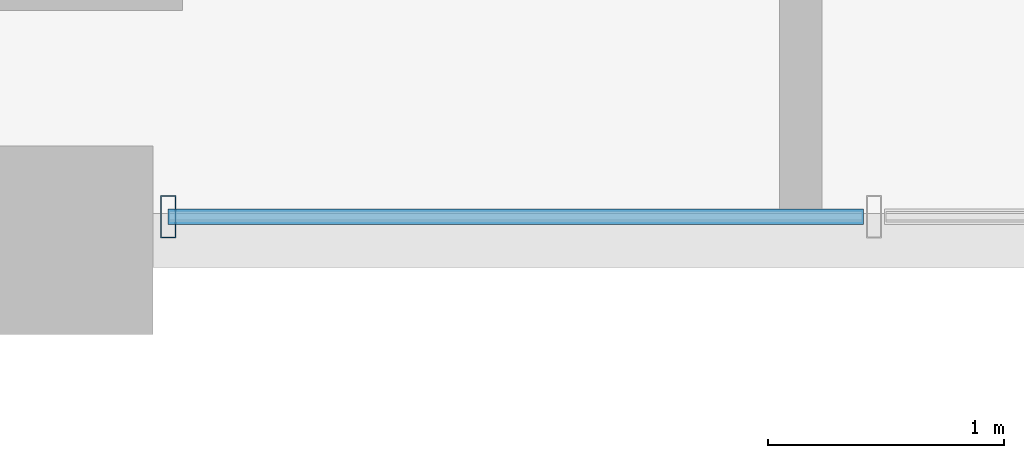
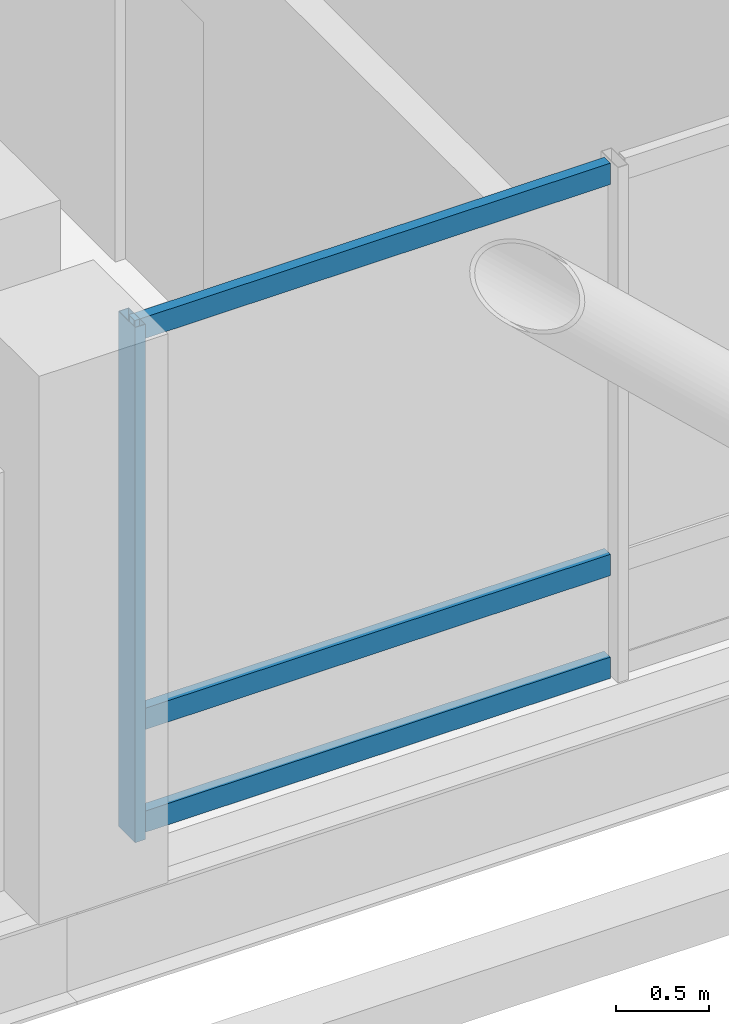
# One storey, part 2 of 26: 4 members, 1 element without a shape of its own.
"""IFC4 building model written with IfcOpenShell, lengths in metres."""

import ifcopenshell
import ifcopenshell.guid

model = None  # the IFC model being written
_history = None  # IfcOwnerHistory: only IFC2X3 demands one
_inside = {}  # id of a spatial element -> (the spatial element, [elements in it])
_under = {}  # id of a project, library or spatial element -> (it, [spatial elements below it])
_declared = {}  # id of a project -> (the project, [libraries it declares])
_typed = {}  # id of a type object -> (the type object, [elements of that type])
_made_of = {}  # id of a material, layer set ... -> (it, [elements and type objects made of it])


def new_model(schema):
    """Start an empty IFC model of exactly this schema.

    Asked for "IFC4X3", IfcOpenShell would pick the latest addendum, in which some entities
    have other attributes; the version numbers below select the first issue.
    IFC2X3 requires an IfcOwnerHistory on every rooted entity: one is made here for all.
    """
    global model, _history
    if schema == "IFC4X3":
        model = ifcopenshell.file(schema_version=(4, 3, 0, 0))
    else:
        model = ifcopenshell.file(schema=schema)
    _inside.clear()
    _under.clear()
    _declared.clear()
    _typed.clear()
    _made_of.clear()
    _history = None
    if model.schema == "IFC2X3":
        org = make("IfcOrganization", Name="unknown")
        user = make(
            "IfcPersonAndOrganization",
            ThePerson=make("IfcPerson", FamilyName="unknown"),
            TheOrganization=org,
        )
        app = make(
            "IfcApplication",
            ApplicationDeveloper=org,
            Version="unknown",
            ApplicationFullName="unknown",
            ApplicationIdentifier="unknown",
        )
        _history = make(
            "IfcOwnerHistory",
            OwningUser=user,
            OwningApplication=app,
            ChangeAction="ADDED",
            CreationDate=0,
        )
    return model


def make(cls, **values):
    """One entity of the class cls with the attributes given. An attribute that is None is left unset."""
    return model.create_entity(
        cls, **{name: value for name, value in values.items() if value is not None}
    )


def rooted(cls, **values):
    """An entity with a GlobalId (a new one), such as an element, a storey or a relation."""
    return make(cls, GlobalId=ifcopenshell.guid.new(), OwnerHistory=_history, **values)


def si_unit(unit_type, name, prefix=None):
    """IfcSIUnit, for example si_unit("LENGTHUNIT", "METRE", prefix="MILLI")."""
    return make("IfcSIUnit", UnitType=unit_type, Prefix=prefix, Name=name)


def assignment(units):
    """IfcUnitAssignment: the units of a project."""
    return None if units is None else make("IfcUnitAssignment", Units=units)


def point(xyz):
    """IfcCartesianPoint."""
    return None if xyz is None else make("IfcCartesianPoint", Coordinates=xyz)


def direction(xyz):
    """IfcDirection."""
    return None if xyz is None else make("IfcDirection", DirectionRatios=xyz)


def frame(location, z_axis=None, x_axis=None):
    """IfcAxis2Placement3D, a coordinate frame: its origin and axes. An axis left out is left unset."""
    return make(
        "IfcAxis2Placement3D",
        Location=point(location),
        Axis=direction(z_axis),
        RefDirection=direction(x_axis),
    )


def frame_2d(location, x_axis=None):
    """IfcAxis2Placement2D, a coordinate frame in the plane: its origin and x axis."""
    return make(
        "IfcAxis2Placement2D", Location=point(location), RefDirection=direction(x_axis)
    )


def origin():
    """The frame at (0, 0, 0) with its axes left unset."""
    return frame((0.0, 0.0, 0.0))


def origin_2d():
    """The frame at (0, 0) in the plane with its x axis left unset."""
    return frame_2d((0.0, 0.0))


def place(relative_to, where):
    """IfcLocalPlacement: puts the frame where relative to a parent placement (None: the world)."""
    return make(
        "IfcLocalPlacement", PlacementRelTo=relative_to, RelativePlacement=where
    )


def context(
    kind, dimensions, precision=None, world=None, true_north=None, identifier=None
):
    """IfcGeometricRepresentationContext, for example the 3D "Model" context."""
    return make(
        "IfcGeometricRepresentationContext",
        ContextIdentifier=identifier,
        ContextType=kind,
        CoordinateSpaceDimension=dimensions,
        Precision=precision,
        WorldCoordinateSystem=world,
        TrueNorth=true_north,
    )


def subcontext(parent, identifier, kind, view, scale=None):
    """IfcGeometricRepresentationSubContext, for example "Body" below "Model"."""
    return make(
        "IfcGeometricRepresentationSubContext",
        ContextIdentifier=identifier,
        ContextType=kind,
        ParentContext=parent,
        TargetScale=scale,
        TargetView=view,
    )


def project(units=None, contexts=None):
    """IfcProject with its units and contexts."""
    return rooted(
        "IfcProject",
        Name="project",
        RepresentationContexts=contexts,
        UnitsInContext=assignment(units),
    )


def spatial(cls, under=None, at=None, **own):
    """A site, building, storey or space (cls), placed at a placement, below another one or the project."""
    s = rooted(cls, ObjectPlacement=at, **own)
    if under is not None:
        _under.setdefault(under.id(), (under, []))[1].append(s)
    return s


def profile(cls, at=None, kind="AREA", **sizes):
    """A parametric profile (cls). Its sizes go by their IFC names, for example OverallWidth=200.0."""
    return make(cls, ProfileType=kind, Position=at, **sizes)


def hollow_rectangle(**sizes):
    """IfcRectangleHollowProfileDef."""
    return profile("IfcRectangleHollowProfileDef", **sizes)


def extrude(swept, where, along, depth):
    """IfcExtrudedAreaSolid: the profile swept, set in the frame where, extruded along a direction by depth."""
    return make(
        "IfcExtrudedAreaSolid",
        SweptArea=swept,
        Position=where,
        ExtrudedDirection=direction(along),
        Depth=depth,
    )


def shape(context_of_items, identifier, shape_type, items):
    """IfcShapeRepresentation: the items that make up one representation, for example the "Body"."""
    return make(
        "IfcShapeRepresentation",
        ContextOfItems=context_of_items,
        RepresentationIdentifier=identifier,
        RepresentationType=shape_type,
        Items=items,
    )


def material(Name=None, Category=None):
    """IfcMaterial."""
    return make("IfcMaterial", Name=Name, Category=Category)


def layer(
    of_material, thickness, ventilated=None, Name=None, Category=None, Priority=None
):
    """IfcMaterialLayer: one layer of a wall or slab, of a material (None: an air gap)."""
    return make(
        "IfcMaterialLayer",
        Material=of_material,
        LayerThickness=thickness,
        IsVentilated=ventilated,
        Name=Name,
        Category=Category,
        Priority=Priority,
    )


def layer_set(layers, Name=None):
    """IfcMaterialLayerSet."""
    return make("IfcMaterialLayerSet", MaterialLayers=layers, LayerSetName=Name)


def material_profile(
    of_material, cross_section, Name=None, Category=None, Priority=None
):
    """IfcMaterialProfile: a cross section and its material."""
    return make(
        "IfcMaterialProfile",
        Name=Name,
        Material=of_material,
        Profile=cross_section,
        Priority=Priority,
        Category=Category,
    )


def profile_set(profiles, Name=None, composite=None):
    """IfcMaterialProfileSet."""
    return make(
        "IfcMaterialProfileSet",
        Name=Name,
        MaterialProfiles=profiles,
        CompositeProfile=composite,
    )


def made_of(thing, what):
    """Note that an element or type object is made of a material, layer set ...; save() writes the relation."""
    if what is not None:
        _made_of.setdefault(what.id(), (what, []))[1].append(thing)
    return thing


def type_object(cls, material=None, **own):
    """A type object (cls), such as IfcWallType, which elements share."""
    return made_of(rooted(cls, **own), material)


def element(
    cls,
    number,
    at=None,
    inside=None,
    cuts=None,
    type_object=None,
    material=None,
    context=None,
    identifier="Body",
    shape_type=None,
    held_by="IfcProductDefinitionShape",
    body=None,
    shapes=None,
    **own,
):
    """One element of the class cls, such as IfcWall. Its Tag is "e" and its number.

    at: its placement. inside: the storey or other place that contains it. cuts: it is an
    opening in that element (IfcRelVoidsElement). A single representation is given by context,
    identifier, shape_type and body (its items); several are given by shapes. held_by: the class
    of the entity that holds the representations. save() writes the other relations.
    """
    e = rooted(cls, Tag="e%d" % number, ObjectPlacement=at, **own)
    if body is not None:
        shapes = [shape(context, identifier, shape_type, body)]
    if shapes is not None:
        e.Representation = make(held_by, Representations=shapes)
    if inside is not None:
        _inside.setdefault(inside.id(), (inside, []))[1].append(e)
    if cuts is not None:
        rooted(
            "IfcRelVoidsElement", RelatingBuildingElement=cuts, RelatedOpeningElement=e
        )
    if type_object is not None:
        _typed.setdefault(type_object.id(), (type_object, []))[1].append(e)
    return made_of(e, material)


def aggregate(whole, parts):
    """IfcRelAggregates: a whole, such as a stair, and the parts it consists of."""
    return rooted("IfcRelAggregates", RelatingObject=whole, RelatedObjects=parts)


def save(model, path):
    """Write the relations noted so far, then the file.

    IfcRelAggregates (storeys below a building ...), IfcRelContainedInSpatialStructure (elements
    in a storey), IfcRelDefinesByType, IfcRelAssociatesMaterial and IfcRelDeclares: one each for
    every whole, place, type object, material and project.
    """
    for whole, parts in _under.values():
        aggregate(whole, parts)
    for where, things in _inside.values():
        rooted(
            "IfcRelContainedInSpatialStructure",
            RelatedElements=things,
            RelatingStructure=where,
        )
    for kind, things in _typed.values():
        rooted("IfcRelDefinesByType", RelatedObjects=things, RelatingType=kind)
    for what, things in _made_of.values():
        rooted("IfcRelAssociatesMaterial", RelatedObjects=things, RelatingMaterial=what)
    for by, libraries in _declared.values():
        rooted("IfcRelDeclares", RelatingContext=by, RelatedDefinitions=libraries)
    model.write(path)


model = new_model("IFC4")

# Units and contexts
model_context = context("Model", 3, precision=1e-05, world=origin(), true_north=direction((0.0, 1.0)))
body_context = subcontext(model_context, "Body", "Model", "MODEL_VIEW")
ifc_project = project(units=[si_unit("LENGTHUNIT", "METRE"), si_unit("AREAUNIT", "SQUARE_METRE"), si_unit("VOLUMEUNIT", "CUBIC_METRE"), si_unit("PLANEANGLEUNIT", "RADIAN"), si_unit("MASSUNIT", "GRAM", prefix="KILO")], contexts=[model_context])

# Site, building, storey
site_placement = place(None, origin())
site = spatial("IfcSite", under=ifc_project, at=site_placement, CompositionType="ELEMENT")
building_placement = place(site_placement, origin())
building = spatial("IfcBuilding", under=site, at=building_placement, Name="Barlavira Tower and Art Museum", CompositionType="ELEMENT")
storey_placement = place(building_placement, frame((0.0, 0.0, 187.199951171875)))
storey = spatial("IfcBuildingStorey", under=building, at=storey_placement, Name="L48", CompositionType="ELEMENT", Elevation=187.199951171875)

# Curtain wall, members
ifc_material_1 = material(Name="Low-iron coastal laminated glass", Category="glass")
ifc_layer = layer(ifc_material_1, 0.199951171875, Name="Low-iron coastal laminated glass")
ifc_layer_set = layer_set([ifc_layer], Name="Low-iron coastal laminated glass")
curtain_wall_type = type_object("IfcCurtainWallType", Name="Pale-Metal Unitised Curtain Wall Zone 3", PredefinedType="NOTDEFINED", material=ifc_layer_set)
curtain_wall_placement = place(storey_placement, origin())
curtain_wall = element("IfcCurtainWall", 1, at=curtain_wall_placement, inside=storey, type_object=curtain_wall_type, Name="L48 Curtain Wall CW3-L48-S-B3", PredefinedType="NOTDEFINED")
ifc_material_2 = material(Name="Pale anodised aluminium", Category="aluminium")
ifc_material_profile_1 = material_profile(ifc_material_2, hollow_rectangle(XDim=0.06494140625, YDim=0.179931640625, WallThickness=0.00390625, at=origin_2d()), Name="ALU-MULL 65x180x4")
ifc_profile_set_1 = profile_set([ifc_material_profile_1], Name="Pale anodised aluminium")
member_type_1 = type_object("IfcMemberType", Name="Curtain Wall Pale-Metal Mullion 65x180", PredefinedType="MULLION", material=ifc_profile_set_1)
member_1_placement = place(storey_placement, frame((-6.034912109375, -21.39990234375, 0.0), z_axis=(0.0, 0.0, 1.0), x_axis=(1.0, 0.0, 0.0)))
member_1 = element("IfcMember", 2, at=member_1_placement, type_object=member_type_1, Name="CW3-L48-S-B3 Mullion 0", PredefinedType="MULLION", context=body_context, shape_type="SweptSolid", body=[
    extrude(hollow_rectangle(XDim=0.06494140625, YDim=0.179931640625, WallThickness=0.00390625, at=origin_2d()), origin(), (0.0, 0.0, 1.0), 3.380126953125),
])
ifc_material_profile_2 = material_profile(ifc_material_2, hollow_rectangle(XDim=0.06494140625, YDim=0.139892578125, WallThickness=0.00390625, at=origin_2d()), Name="ALU-TRAN 65x140x4")
ifc_profile_set_2 = profile_set([ifc_material_profile_2], Name="Pale anodised aluminium")
member_type_2 = type_object("IfcMemberType", Name="Curtain Wall Pale-Metal Transom 65x140", PredefinedType="USERDEFINED", material=ifc_profile_set_2)
member_2_placement = place(storey_placement, frame((-6.034912109375, -21.39990234375, 0.070068359375), z_axis=(1.0, 0.0, 0.0), x_axis=(0.0, 1.0, 0.0)))
member_2 = element("IfcMember", 3, at=member_2_placement, type_object=member_type_2, Name="CW3-L48-S-B3 Transom 0.1", ObjectType="TRANSOM", PredefinedType="USERDEFINED", context=body_context, shape_type="SweptSolid", body=[
    extrude(hollow_rectangle(XDim=0.06494140625, YDim=0.139892578125, WallThickness=0.00390625, at=origin_2d()), origin(), (0.0, 0.0, 1.0), 2.949951171875),
])
member_3_placement = place(storey_placement, frame((-6.034912109375, -21.39990234375, 0.744140625), z_axis=(1.0, 0.0, 0.0), x_axis=(0.0, 1.0, 0.0)))
member_3 = element("IfcMember", 4, at=member_3_placement, type_object=member_type_2, Name="CW3-L48-S-B3 Transom 0.2", ObjectType="TRANSOM", PredefinedType="USERDEFINED", context=body_context, shape_type="SweptSolid", body=[
    extrude(hollow_rectangle(XDim=0.06494140625, YDim=0.139892578125, WallThickness=0.00390625, at=origin_2d()), origin(), (0.0, 0.0, 1.0), 2.949951171875),
])
member_4_placement = place(storey_placement, frame((-6.034912109375, -21.39990234375, 3.31005859375), z_axis=(1.0, 0.0, 0.0), x_axis=(0.0, 1.0, 0.0)))
member_4 = element("IfcMember", 5, at=member_4_placement, type_object=member_type_2, Name="CW3-L48-S-B3 Transom 0.3", ObjectType="TRANSOM", PredefinedType="USERDEFINED", context=body_context, shape_type="SweptSolid", body=[
    extrude(hollow_rectangle(XDim=0.06494140625, YDim=0.139892578125, WallThickness=0.00390625, at=origin_2d()), origin(), (0.0, 0.0, 1.0), 2.949951171875),
])
aggregate(curtain_wall, [member_1, member_2, member_3, member_4])

save(model, "model.ifc")
